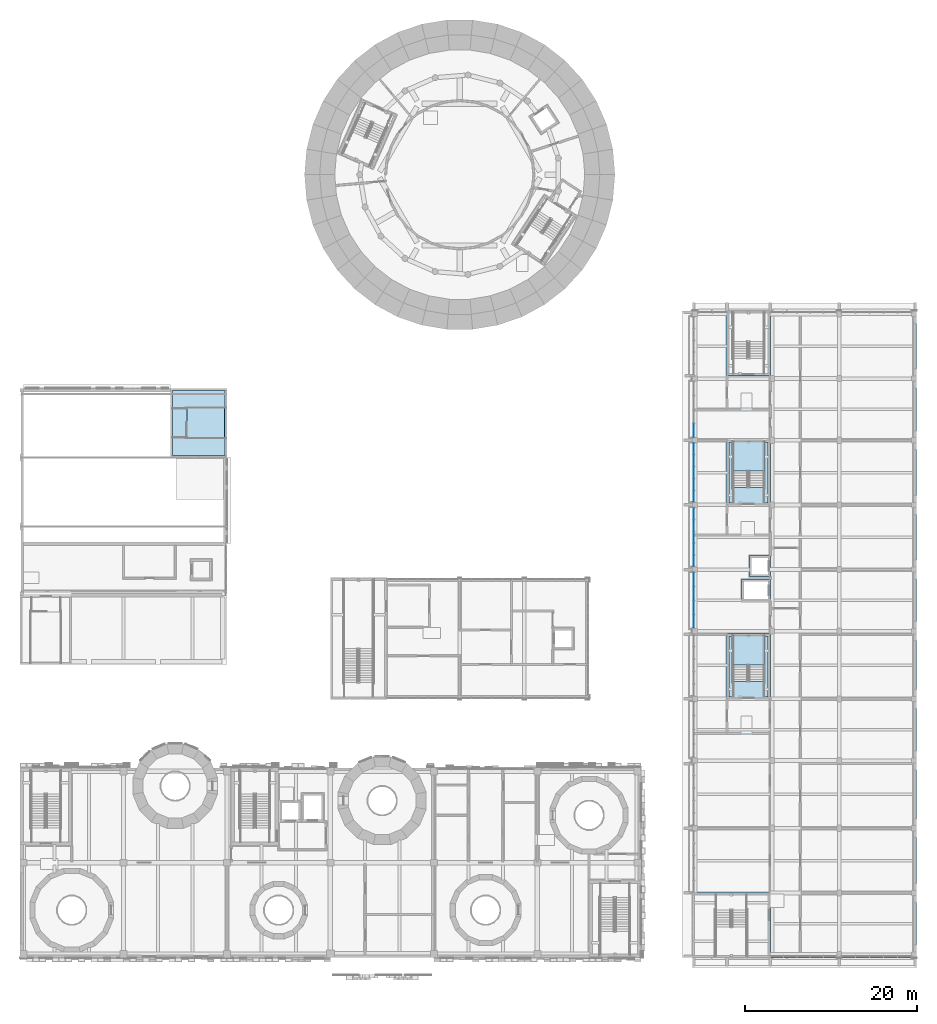
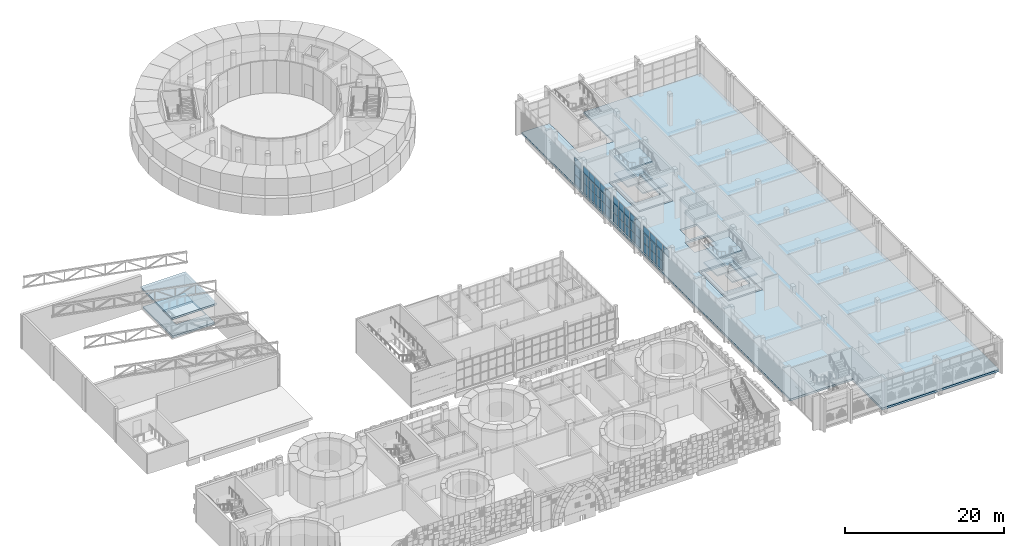
# One storey, part 61 of 125: 43 plates, 11 slabs, 6 elements without a shape of their own.
"""IFC4 building model written with IfcOpenShell, lengths in metres."""

from ifc_helpers import new_model, si_unit, direction, frame, origin, origin_2d, place, context, subcontext, project, spatial, polyline, rectangle, outline, extrude, material, layer, layer_set, type_object, element, aggregate, save


model = new_model("IFC4")

# Units and contexts
model_context = context("Model", 3, precision=1e-05, world=origin(), true_north=direction((0.0, 1.0)))
body_context = subcontext(model_context, "Body", "Model", "MODEL_VIEW")
ifc_project = project(units=[si_unit("LENGTHUNIT", "METRE"), si_unit("AREAUNIT", "SQUARE_METRE"), si_unit("VOLUMEUNIT", "CUBIC_METRE"), si_unit("PLANEANGLEUNIT", "RADIAN"), si_unit("MASSUNIT", "GRAM", prefix="KILO")], contexts=[model_context])

# Site, building, storey
site_placement = place(None, origin())
site = spatial("IfcSite", under=ifc_project, at=site_placement, CompositionType="ELEMENT")
building_placement = place(site_placement, origin())
building = spatial("IfcBuilding", under=site, at=building_placement, Name="Sun Court Science Centre", CompositionType="ELEMENT")
storey_placement = place(building_placement, frame((0.0, 0.0, 6.0)))
storey = spatial("IfcBuildingStorey", under=building, at=storey_placement, Name="L01", CompositionType="ELEMENT", Elevation=6.0)

# Slabs
ifc_material_1 = material(Name="Concrete C25/30", Category="concrete")
ifc_layer_1 = layer(ifc_material_1, 0.300048828125)
ifc_layer_set_1 = layer_set([ifc_layer_1], Name="Concrete C25/30")
slab_type_1 = type_object("IfcSlabType", Name="RC floor slab 300", PredefinedType="FLOOR", material=ifc_layer_set_1)
slab_1_placement = place(storey_placement, frame((0.0, 0.0, -0.300048828125)))
element("IfcSlab", 1, at=slab_1_placement, inside=storey, type_object=slab_type_1, Name="Floor slab L01", PredefinedType="FLOOR", context=body_context, shape_type="SweptSolid", body=[
    extrude(outline(polyline([(104.0, 6.0), (104.0, 81.0), (87.0, 81.0), (87.0, 73.5), (82.0, 73.5), (82.0, 81.0), (78.0, 81.0), (78.0, 13.5), (87.0, 13.5), (87.0, 6.0), (104.0, 6.0)]), holes=[polyline([(84.577392578125, 50.1875), (84.577392578125, 52.612548828125), (87.00244140625, 52.612548828125), (87.00244140625, 50.1875), (84.577392578125, 50.1875)]), polyline([(82.0, 43.5), (87.0, 43.5), (87.0, 36.0), (82.0, 36.0), (82.0, 43.5)]), polyline([(82.0, 66.0), (87.0, 66.0), (87.0, 58.5), (82.0, 58.5), (82.0, 66.0)]), polyline([(83.699951171875, 49.85009765625), (87.0, 49.85009765625), (87.0, 47.35009765625), (83.699951171875, 47.35009765625), (83.699951171875, 49.85009765625)])]), origin(), (0.0, 0.0, 1.0), 0.300048828125),
])
slab_2_placement = place(storey_placement, frame((0.0, 0.0, -0.300048828125)))
element("IfcSlab", 2, at=slab_2_placement, inside=storey, type_object=slab_type_1, Name="Stair SL2 landing slab L01", PredefinedType="FLOOR", context=body_context, shape_type="SweptSolid", body=[
    extrude(outline(polyline([(82.25, 43.25), (82.25, 36.25), (86.75, 36.25), (86.75, 43.25), (82.25, 43.25)]), holes=[polyline([(86.322998046875, 43.2451171875), (86.322998046875, 38.0029296875), (82.677001953125, 38.0029296875), (82.677001953125, 43.2451171875), (86.322998046875, 43.2451171875)])]), origin(), (0.0, 0.0, 1.0), 0.300048828125),
])
slab_3_placement = place(storey_placement, frame((0.0, 0.0, -0.300048828125)))
element("IfcSlab", 3, at=slab_3_placement, inside=storey, type_object=slab_type_1, Name="Stair SL3 landing slab L01", PredefinedType="FLOOR", context=body_context, shape_type="SweptSolid", body=[
    extrude(outline(polyline([(82.25, 65.75), (82.25, 58.75), (86.75, 58.75), (86.75, 65.75), (82.25, 65.75)]), holes=[polyline([(86.322998046875, 65.7451171875), (86.322998046875, 60.5029296875), (82.677001953125, 60.5029296875), (82.677001953125, 65.7451171875), (86.322998046875, 65.7451171875)])]), origin(), (0.0, 0.0, 1.0), 0.300048828125),
])
slab_4_placement = place(storey_placement, frame((0.0, 0.0, -0.300048828125)))
element("IfcSlab", 4, at=slab_4_placement, inside=storey, type_object=slab_type_1, Name="Stair ST2 landing slab L01", PredefinedType="FLOOR", context=body_context, shape_type="SweptSolid", body=[
    extrude(outline(polyline([(17.699951171875, 71.75), (17.699951171875, 64.25), (23.75, 64.25), (23.75, 71.75), (17.699951171875, 71.75)]), holes=[polyline([(23.7451171875, 66.277099609375), (19.35302734375, 66.277099609375), (19.35302734375, 69.722900390625), (23.7451171875, 69.722900390625), (23.7451171875, 66.277099609375)])]), origin(), (0.0, 0.0, 1.0), 0.300048828125),
])
ifc_material_2 = material(Name="Concrete C25/30", Category="concrete")
ifc_layer_2 = layer(ifc_material_2, 0.25)
ifc_layer_set_2 = layer_set([ifc_layer_2], Name="Concrete C25/30")
slab_type_2 = type_object("IfcSlabType", Name="RC head-house roof 250", PredefinedType="ROOF", material=ifc_layer_set_2)
slab_5_placement = place(storey_placement, frame((0.0, 0.0, 2.75)))
element("IfcSlab", 5, at=slab_5_placement, inside=storey, type_object=slab_type_2, Name="Roof of core ST2", PredefinedType="ROOF", context=body_context, shape_type="SweptSolid", body=[
    extrude(outline(polyline([(17.449951171875, 64.0), (24.0, 64.0), (24.0, 72.0), (17.449951171875, 72.0), (17.449951171875, 64.0)])), origin(), (0.0, 0.0, 1.0), 0.25),
])

# Curtain wall, plates
ifc_material_3 = material(Name="Aluminium EN AW-6063 T6", Category="aluminium")
curtain_wall_type = type_object("IfcCurtainWallType", Name="Laboratory tall bay curtain wall 1500", PredefinedType="NOTDEFINED", material=ifc_material_3)
curtain_wall_1_placement = place(storey_placement, origin())
curtain_wall_1 = element("IfcCurtainWall", 6, at=curtain_wall_1_placement, inside=storey, type_object=curtain_wall_type, Name="Curtain wall V4 W L01 05", PredefinedType="NOTDEFINED")
ifc_material_4 = material(Name="Solar-control glass", Category="glass")
ifc_layer_3 = layer(ifc_material_4, 0.028076171875)
ifc_layer_set_3 = layer_set([ifc_layer_3], Name="Solar-control glass")
plate_type = type_object("IfcPlateType", Name="Solar-control glazing panel 8-12-8", PredefinedType="CURTAIN_PANEL", material=ifc_layer_set_3)
plate_1_placement = place(storey_placement, frame((78.14990234375, 46.606201171875, 0.06005859375), z_axis=(0.0, 0.0, 1.0), x_axis=(0.0, 1.0, 0.0)))
plate_1 = element("IfcPlate", 7, at=plate_1_placement, type_object=plate_type, Name="CW2-14 panel 2.1", PredefinedType="CURTAIN_PANEL", context=body_context, shape_type="SweptSolid", body=[
    extrude(rectangle(XDim=1.577392578125, YDim=0.028076171875, at=origin_2d()), origin(), (0.0, 0.0, 1.0), 1.409912109375),
])
plate_2_placement = place(storey_placement, frame((78.14990234375, 48.24365234375, 0.06005859375), z_axis=(0.0, 0.0, 1.0), x_axis=(0.0, 1.0, 0.0)))
plate_2 = element("IfcPlate", 8, at=plate_2_placement, type_object=plate_type, Name="CW2-14 panel 3.1", PredefinedType="CURTAIN_PANEL", context=body_context, shape_type="SweptSolid", body=[
    extrude(rectangle(XDim=1.577392578125, YDim=0.028076171875, at=origin_2d()), origin(), (0.0, 0.0, 1.0), 1.409912109375),
])
plate_3_placement = place(storey_placement, frame((78.14990234375, 49.8662109375, 0.06005859375), z_axis=(0.0, 0.0, 1.0), x_axis=(0.0, 1.0, 0.0)))
plate_3 = element("IfcPlate", 9, at=plate_3_placement, type_object=plate_type, Name="CW2-14 panel 4.1", PredefinedType="CURTAIN_PANEL", context=body_context, shape_type="SweptSolid", body=[
    extrude(rectangle(XDim=1.547607421875, YDim=0.028076171875, at=origin_2d()), origin(), (0.0, 0.0, 1.0), 1.409912109375),
])
plate_4_placement = place(storey_placement, frame((78.14990234375, 46.606201171875, 1.530029296875), z_axis=(0.0, 0.0, 1.0), x_axis=(0.0, 1.0, 0.0)))
plate_4 = element("IfcPlate", 10, at=plate_4_placement, type_object=plate_type, Name="CW2-14 panel 2.2", PredefinedType="CURTAIN_PANEL", context=body_context, shape_type="SweptSolid", body=[
    extrude(rectangle(XDim=1.577392578125, YDim=0.028076171875, at=origin_2d()), origin(), (0.0, 0.0, 1.0), 1.43994140625),
])
plate_5_placement = place(storey_placement, frame((78.14990234375, 48.24365234375, 1.530029296875), z_axis=(0.0, 0.0, 1.0), x_axis=(0.0, 1.0, 0.0)))
plate_5 = element("IfcPlate", 11, at=plate_5_placement, type_object=plate_type, Name="CW2-14 panel 3.2", PredefinedType="CURTAIN_PANEL", context=body_context, shape_type="SweptSolid", body=[
    extrude(rectangle(XDim=1.577392578125, YDim=0.028076171875, at=origin_2d()), origin(), (0.0, 0.0, 1.0), 1.43994140625),
])
plate_6_placement = place(storey_placement, frame((78.14990234375, 49.8662109375, 1.530029296875), z_axis=(0.0, 0.0, 1.0), x_axis=(0.0, 1.0, 0.0)))
plate_6 = element("IfcPlate", 12, at=plate_6_placement, type_object=plate_type, Name="CW2-14 panel 4.2", PredefinedType="CURTAIN_PANEL", context=body_context, shape_type="SweptSolid", body=[
    extrude(rectangle(XDim=1.547607421875, YDim=0.028076171875, at=origin_2d()), origin(), (0.0, 0.0, 1.0), 1.43994140625),
])
plate_7_placement = place(storey_placement, frame((78.14990234375, 44.983642578125, 3.030029296875), z_axis=(0.0, 0.0, 1.0), x_axis=(0.0, 1.0, 0.0)))
plate_7 = element("IfcPlate", 13, at=plate_7_placement, type_object=plate_type, Name="CW2-14 panel 1.3", PredefinedType="CURTAIN_PANEL", context=body_context, shape_type="SweptSolid", body=[
    extrude(rectangle(XDim=1.547607421875, YDim=0.028076171875, at=origin_2d()), origin(), (0.0, 0.0, 1.0), 1.06005859375),
])
plate_8_placement = place(storey_placement, frame((78.14990234375, 46.606201171875, 3.030029296875), z_axis=(0.0, 0.0, 1.0), x_axis=(0.0, 1.0, 0.0)))
plate_8 = element("IfcPlate", 14, at=plate_8_placement, type_object=plate_type, Name="CW2-14 panel 2.3", PredefinedType="CURTAIN_PANEL", context=body_context, shape_type="SweptSolid", body=[
    extrude(rectangle(XDim=1.577392578125, YDim=0.028076171875, at=origin_2d()), origin(), (0.0, 0.0, 1.0), 1.06005859375),
])
plate_9_placement = place(storey_placement, frame((78.14990234375, 48.24365234375, 3.030029296875), z_axis=(0.0, 0.0, 1.0), x_axis=(0.0, 1.0, 0.0)))
plate_9 = element("IfcPlate", 15, at=plate_9_placement, type_object=plate_type, Name="CW2-14 panel 3.3", PredefinedType="CURTAIN_PANEL", context=body_context, shape_type="SweptSolid", body=[
    extrude(rectangle(XDim=1.577392578125, YDim=0.028076171875, at=origin_2d()), origin(), (0.0, 0.0, 1.0), 1.06005859375),
])
plate_10_placement = place(storey_placement, frame((78.14990234375, 49.8662109375, 3.030029296875), z_axis=(0.0, 0.0, 1.0), x_axis=(0.0, 1.0, 0.0)))
plate_10 = element("IfcPlate", 16, at=plate_10_placement, type_object=plate_type, Name="CW2-14 panel 4.3", PredefinedType="CURTAIN_PANEL", context=body_context, shape_type="SweptSolid", body=[
    extrude(rectangle(XDim=1.547607421875, YDim=0.028076171875, at=origin_2d()), origin(), (0.0, 0.0, 1.0), 1.06005859375),
])
aggregate(curtain_wall_1, [plate_1, plate_2, plate_3, plate_4, plate_5, plate_6, plate_7, plate_8, plate_9, plate_10])

curtain_wall_2_placement = place(storey_placement, origin())
curtain_wall_2 = element("IfcCurtainWall", 17, at=curtain_wall_2_placement, inside=storey, type_object=curtain_wall_type, Name="Curtain wall V4 W L01 06", PredefinedType="NOTDEFINED")
plate_11_placement = place(storey_placement, frame((78.14990234375, 52.0048828125, 0.06005859375), z_axis=(0.0, 0.0, 1.0), x_axis=(0.0, 1.0, 0.0)))
plate_11 = element("IfcPlate", 18, at=plate_11_placement, type_object=plate_type, Name="CW2-15 panel 1.1", PredefinedType="CURTAIN_PANEL", context=body_context, shape_type="SweptSolid", body=[
    extrude(rectangle(XDim=1.2900390625, YDim=0.028076171875, at=origin_2d()), origin(), (0.0, 0.0, 1.0), 1.409912109375),
])
plate_12_placement = place(storey_placement, frame((78.14990234375, 53.3701171875, 0.06005859375), z_axis=(0.0, 0.0, 1.0), x_axis=(0.0, 1.0, 0.0)))
plate_12 = element("IfcPlate", 19, at=plate_12_placement, type_object=plate_type, Name="CW2-15 panel 2.1", PredefinedType="CURTAIN_PANEL", context=body_context, shape_type="SweptSolid", body=[
    extrude(rectangle(XDim=1.320068359375, YDim=0.028076171875, at=origin_2d()), origin(), (0.0, 0.0, 1.0), 1.409912109375),
])
plate_13_placement = place(storey_placement, frame((78.14990234375, 54.75, 0.06005859375), z_axis=(0.0, 0.0, 1.0), x_axis=(0.0, 1.0, 0.0)))
plate_13 = element("IfcPlate", 20, at=plate_13_placement, type_object=plate_type, Name="CW2-15 panel 3.1", PredefinedType="CURTAIN_PANEL", context=body_context, shape_type="SweptSolid", body=[
    extrude(rectangle(XDim=1.320068359375, YDim=0.028076171875, at=origin_2d()), origin(), (0.0, 0.0, 1.0), 1.409912109375),
])
plate_14_placement = place(storey_placement, frame((78.14990234375, 56.1298828125, 0.06005859375), z_axis=(0.0, 0.0, 1.0), x_axis=(0.0, 1.0, 0.0)))
plate_14 = element("IfcPlate", 21, at=plate_14_placement, type_object=plate_type, Name="CW2-15 panel 4.1", PredefinedType="CURTAIN_PANEL", context=body_context, shape_type="SweptSolid", body=[
    extrude(rectangle(XDim=1.320068359375, YDim=0.028076171875, at=origin_2d()), origin(), (0.0, 0.0, 1.0), 1.409912109375),
])
plate_15_placement = place(storey_placement, frame((78.14990234375, 57.4951171875, 0.06005859375), z_axis=(0.0, 0.0, 1.0), x_axis=(0.0, 1.0, 0.0)))
plate_15 = element("IfcPlate", 22, at=plate_15_placement, type_object=plate_type, Name="CW2-15 panel 5.1", PredefinedType="CURTAIN_PANEL", context=body_context, shape_type="SweptSolid", body=[
    extrude(rectangle(XDim=1.2900390625, YDim=0.028076171875, at=origin_2d()), origin(), (0.0, 0.0, 1.0), 1.409912109375),
])
plate_16_placement = place(storey_placement, frame((78.14990234375, 52.0048828125, 1.530029296875), z_axis=(0.0, 0.0, 1.0), x_axis=(0.0, 1.0, 0.0)))
plate_16 = element("IfcPlate", 23, at=plate_16_placement, type_object=plate_type, Name="CW2-15 panel 1.2", PredefinedType="CURTAIN_PANEL", context=body_context, shape_type="SweptSolid", body=[
    extrude(rectangle(XDim=1.2900390625, YDim=0.028076171875, at=origin_2d()), origin(), (0.0, 0.0, 1.0), 1.43994140625),
])
plate_17_placement = place(storey_placement, frame((78.14990234375, 53.3701171875, 1.530029296875), z_axis=(0.0, 0.0, 1.0), x_axis=(0.0, 1.0, 0.0)))
plate_17 = element("IfcPlate", 24, at=plate_17_placement, type_object=plate_type, Name="CW2-15 panel 2.2", PredefinedType="CURTAIN_PANEL", context=body_context, shape_type="SweptSolid", body=[
    extrude(rectangle(XDim=1.320068359375, YDim=0.028076171875, at=origin_2d()), origin(), (0.0, 0.0, 1.0), 1.43994140625),
])
plate_18_placement = place(storey_placement, frame((78.14990234375, 54.75, 1.530029296875), z_axis=(0.0, 0.0, 1.0), x_axis=(0.0, 1.0, 0.0)))
plate_18 = element("IfcPlate", 25, at=plate_18_placement, type_object=plate_type, Name="CW2-15 panel 3.2", PredefinedType="CURTAIN_PANEL", context=body_context, shape_type="SweptSolid", body=[
    extrude(rectangle(XDim=1.320068359375, YDim=0.028076171875, at=origin_2d()), origin(), (0.0, 0.0, 1.0), 1.43994140625),
])
plate_19_placement = place(storey_placement, frame((78.14990234375, 56.1298828125, 1.530029296875), z_axis=(0.0, 0.0, 1.0), x_axis=(0.0, 1.0, 0.0)))
plate_19 = element("IfcPlate", 26, at=plate_19_placement, type_object=plate_type, Name="CW2-15 panel 4.2", PredefinedType="CURTAIN_PANEL", context=body_context, shape_type="SweptSolid", body=[
    extrude(rectangle(XDim=1.320068359375, YDim=0.028076171875, at=origin_2d()), origin(), (0.0, 0.0, 1.0), 1.43994140625),
])
plate_20_placement = place(storey_placement, frame((78.14990234375, 57.4951171875, 1.530029296875), z_axis=(0.0, 0.0, 1.0), x_axis=(0.0, 1.0, 0.0)))
plate_20 = element("IfcPlate", 27, at=plate_20_placement, type_object=plate_type, Name="CW2-15 panel 5.2", PredefinedType="CURTAIN_PANEL", context=body_context, shape_type="SweptSolid", body=[
    extrude(rectangle(XDim=1.2900390625, YDim=0.028076171875, at=origin_2d()), origin(), (0.0, 0.0, 1.0), 1.43994140625),
])
plate_21_placement = place(storey_placement, frame((78.14990234375, 52.0048828125, 3.030029296875), z_axis=(0.0, 0.0, 1.0), x_axis=(0.0, 1.0, 0.0)))
plate_21 = element("IfcPlate", 28, at=plate_21_placement, type_object=plate_type, Name="CW2-15 panel 1.3", PredefinedType="CURTAIN_PANEL", context=body_context, shape_type="SweptSolid", body=[
    extrude(rectangle(XDim=1.2900390625, YDim=0.028076171875, at=origin_2d()), origin(), (0.0, 0.0, 1.0), 1.06005859375),
])
plate_22_placement = place(storey_placement, frame((78.14990234375, 53.3701171875, 3.030029296875), z_axis=(0.0, 0.0, 1.0), x_axis=(0.0, 1.0, 0.0)))
plate_22 = element("IfcPlate", 29, at=plate_22_placement, type_object=plate_type, Name="CW2-15 panel 2.3", PredefinedType="CURTAIN_PANEL", context=body_context, shape_type="SweptSolid", body=[
    extrude(rectangle(XDim=1.320068359375, YDim=0.028076171875, at=origin_2d()), origin(), (0.0, 0.0, 1.0), 1.06005859375),
])
plate_23_placement = place(storey_placement, frame((78.14990234375, 54.75, 3.030029296875), z_axis=(0.0, 0.0, 1.0), x_axis=(0.0, 1.0, 0.0)))
plate_23 = element("IfcPlate", 30, at=plate_23_placement, type_object=plate_type, Name="CW2-15 panel 3.3", PredefinedType="CURTAIN_PANEL", context=body_context, shape_type="SweptSolid", body=[
    extrude(rectangle(XDim=1.320068359375, YDim=0.028076171875, at=origin_2d()), origin(), (0.0, 0.0, 1.0), 1.06005859375),
])
plate_24_placement = place(storey_placement, frame((78.14990234375, 56.1298828125, 3.030029296875), z_axis=(0.0, 0.0, 1.0), x_axis=(0.0, 1.0, 0.0)))
plate_24 = element("IfcPlate", 31, at=plate_24_placement, type_object=plate_type, Name="CW2-15 panel 4.3", PredefinedType="CURTAIN_PANEL", context=body_context, shape_type="SweptSolid", body=[
    extrude(rectangle(XDim=1.320068359375, YDim=0.028076171875, at=origin_2d()), origin(), (0.0, 0.0, 1.0), 1.06005859375),
])
plate_25_placement = place(storey_placement, frame((78.14990234375, 57.4951171875, 3.030029296875), z_axis=(0.0, 0.0, 1.0), x_axis=(0.0, 1.0, 0.0)))
plate_25 = element("IfcPlate", 32, at=plate_25_placement, type_object=plate_type, Name="CW2-15 panel 5.3", PredefinedType="CURTAIN_PANEL", context=body_context, shape_type="SweptSolid", body=[
    extrude(rectangle(XDim=1.2900390625, YDim=0.028076171875, at=origin_2d()), origin(), (0.0, 0.0, 1.0), 1.06005859375),
])
aggregate(curtain_wall_2, [plate_11, plate_12, plate_13, plate_14, plate_15, plate_16, plate_17, plate_18, plate_19, plate_20, plate_21, plate_22, plate_23, plate_24, plate_25])

curtain_wall_3_placement = place(storey_placement, origin())
curtain_wall_3 = element("IfcCurtainWall", 33, at=curtain_wall_3_placement, inside=storey, type_object=curtain_wall_type, Name="Curtain wall V4 W L01 07", PredefinedType="NOTDEFINED")
plate_26_placement = place(storey_placement, frame((78.14990234375, 59.5048828125, 0.06005859375), z_axis=(0.0, 0.0, 1.0), x_axis=(0.0, 1.0, 0.0)))
plate_26 = element("IfcPlate", 34, at=plate_26_placement, type_object=plate_type, Name="CW2-16 panel 1.1", PredefinedType="CURTAIN_PANEL", context=body_context, shape_type="SweptSolid", body=[
    extrude(rectangle(XDim=1.2900390625, YDim=0.028076171875, at=origin_2d()), origin(), (0.0, 0.0, 1.0), 1.409912109375),
])
plate_27_placement = place(storey_placement, frame((78.14990234375, 60.8701171875, 0.06005859375), z_axis=(0.0, 0.0, 1.0), x_axis=(0.0, 1.0, 0.0)))
plate_27 = element("IfcPlate", 35, at=plate_27_placement, type_object=plate_type, Name="CW2-16 panel 2.1", PredefinedType="CURTAIN_PANEL", context=body_context, shape_type="SweptSolid", body=[
    extrude(rectangle(XDim=1.320068359375, YDim=0.028076171875, at=origin_2d()), origin(), (0.0, 0.0, 1.0), 1.409912109375),
])
plate_28_placement = place(storey_placement, frame((78.14990234375, 62.25, 0.06005859375), z_axis=(0.0, 0.0, 1.0), x_axis=(0.0, 1.0, 0.0)))
plate_28 = element("IfcPlate", 36, at=plate_28_placement, type_object=plate_type, Name="CW2-16 panel 3.1", PredefinedType="CURTAIN_PANEL", context=body_context, shape_type="SweptSolid", body=[
    extrude(rectangle(XDim=1.320068359375, YDim=0.028076171875, at=origin_2d()), origin(), (0.0, 0.0, 1.0), 1.409912109375),
])
plate_29_placement = place(storey_placement, frame((78.14990234375, 63.6298828125, 0.06005859375), z_axis=(0.0, 0.0, 1.0), x_axis=(0.0, 1.0, 0.0)))
plate_29 = element("IfcPlate", 37, at=plate_29_placement, type_object=plate_type, Name="CW2-16 panel 4.1", PredefinedType="CURTAIN_PANEL", context=body_context, shape_type="SweptSolid", body=[
    extrude(rectangle(XDim=1.320068359375, YDim=0.028076171875, at=origin_2d()), origin(), (0.0, 0.0, 1.0), 1.409912109375),
])
plate_30_placement = place(storey_placement, frame((78.14990234375, 64.9951171875, 0.06005859375), z_axis=(0.0, 0.0, 1.0), x_axis=(0.0, 1.0, 0.0)))
plate_30 = element("IfcPlate", 38, at=plate_30_placement, type_object=plate_type, Name="CW2-16 panel 5.1", PredefinedType="CURTAIN_PANEL", context=body_context, shape_type="SweptSolid", body=[
    extrude(rectangle(XDim=1.2900390625, YDim=0.028076171875, at=origin_2d()), origin(), (0.0, 0.0, 1.0), 1.409912109375),
])
plate_31_placement = place(storey_placement, frame((78.14990234375, 59.5048828125, 1.530029296875), z_axis=(0.0, 0.0, 1.0), x_axis=(0.0, 1.0, 0.0)))
plate_31 = element("IfcPlate", 39, at=plate_31_placement, type_object=plate_type, Name="CW2-16 panel 1.2", PredefinedType="CURTAIN_PANEL", context=body_context, shape_type="SweptSolid", body=[
    extrude(rectangle(XDim=1.2900390625, YDim=0.028076171875, at=origin_2d()), origin(), (0.0, 0.0, 1.0), 1.43994140625),
])
plate_32_placement = place(storey_placement, frame((78.14990234375, 60.8701171875, 1.530029296875), z_axis=(0.0, 0.0, 1.0), x_axis=(0.0, 1.0, 0.0)))
plate_32 = element("IfcPlate", 40, at=plate_32_placement, type_object=plate_type, Name="CW2-16 panel 2.2", PredefinedType="CURTAIN_PANEL", context=body_context, shape_type="SweptSolid", body=[
    extrude(rectangle(XDim=1.320068359375, YDim=0.028076171875, at=origin_2d()), origin(), (0.0, 0.0, 1.0), 1.43994140625),
])
plate_33_placement = place(storey_placement, frame((78.14990234375, 62.25, 1.530029296875), z_axis=(0.0, 0.0, 1.0), x_axis=(0.0, 1.0, 0.0)))
plate_33 = element("IfcPlate", 41, at=plate_33_placement, type_object=plate_type, Name="CW2-16 panel 3.2", PredefinedType="CURTAIN_PANEL", context=body_context, shape_type="SweptSolid", body=[
    extrude(rectangle(XDim=1.320068359375, YDim=0.028076171875, at=origin_2d()), origin(), (0.0, 0.0, 1.0), 1.43994140625),
])
plate_34_placement = place(storey_placement, frame((78.14990234375, 63.6298828125, 1.530029296875), z_axis=(0.0, 0.0, 1.0), x_axis=(0.0, 1.0, 0.0)))
plate_34 = element("IfcPlate", 42, at=plate_34_placement, type_object=plate_type, Name="CW2-16 panel 4.2", PredefinedType="CURTAIN_PANEL", context=body_context, shape_type="SweptSolid", body=[
    extrude(rectangle(XDim=1.320068359375, YDim=0.028076171875, at=origin_2d()), origin(), (0.0, 0.0, 1.0), 1.43994140625),
])
plate_35_placement = place(storey_placement, frame((78.14990234375, 64.9951171875, 1.530029296875), z_axis=(0.0, 0.0, 1.0), x_axis=(0.0, 1.0, 0.0)))
plate_35 = element("IfcPlate", 43, at=plate_35_placement, type_object=plate_type, Name="CW2-16 panel 5.2", PredefinedType="CURTAIN_PANEL", context=body_context, shape_type="SweptSolid", body=[
    extrude(rectangle(XDim=1.2900390625, YDim=0.028076171875, at=origin_2d()), origin(), (0.0, 0.0, 1.0), 1.43994140625),
])
plate_36_placement = place(storey_placement, frame((78.14990234375, 59.5048828125, 3.030029296875), z_axis=(0.0, 0.0, 1.0), x_axis=(0.0, 1.0, 0.0)))
plate_36 = element("IfcPlate", 44, at=plate_36_placement, type_object=plate_type, Name="CW2-16 panel 1.3", PredefinedType="CURTAIN_PANEL", context=body_context, shape_type="SweptSolid", body=[
    extrude(rectangle(XDim=1.2900390625, YDim=0.028076171875, at=origin_2d()), origin(), (0.0, 0.0, 1.0), 1.06005859375),
])
plate_37_placement = place(storey_placement, frame((78.14990234375, 60.8701171875, 3.030029296875), z_axis=(0.0, 0.0, 1.0), x_axis=(0.0, 1.0, 0.0)))
plate_37 = element("IfcPlate", 45, at=plate_37_placement, type_object=plate_type, Name="CW2-16 panel 2.3", PredefinedType="CURTAIN_PANEL", context=body_context, shape_type="SweptSolid", body=[
    extrude(rectangle(XDim=1.320068359375, YDim=0.028076171875, at=origin_2d()), origin(), (0.0, 0.0, 1.0), 1.06005859375),
])
plate_38_placement = place(storey_placement, frame((78.14990234375, 62.25, 3.030029296875), z_axis=(0.0, 0.0, 1.0), x_axis=(0.0, 1.0, 0.0)))
plate_38 = element("IfcPlate", 46, at=plate_38_placement, type_object=plate_type, Name="CW2-16 panel 3.3", PredefinedType="CURTAIN_PANEL", context=body_context, shape_type="SweptSolid", body=[
    extrude(rectangle(XDim=1.320068359375, YDim=0.028076171875, at=origin_2d()), origin(), (0.0, 0.0, 1.0), 1.06005859375),
])
plate_39_placement = place(storey_placement, frame((78.14990234375, 63.6298828125, 3.030029296875), z_axis=(0.0, 0.0, 1.0), x_axis=(0.0, 1.0, 0.0)))
plate_39 = element("IfcPlate", 47, at=plate_39_placement, type_object=plate_type, Name="CW2-16 panel 4.3", PredefinedType="CURTAIN_PANEL", context=body_context, shape_type="SweptSolid", body=[
    extrude(rectangle(XDim=1.320068359375, YDim=0.028076171875, at=origin_2d()), origin(), (0.0, 0.0, 1.0), 1.06005859375),
])
plate_40_placement = place(storey_placement, frame((78.14990234375, 64.9951171875, 3.030029296875), z_axis=(0.0, 0.0, 1.0), x_axis=(0.0, 1.0, 0.0)))
plate_40 = element("IfcPlate", 48, at=plate_40_placement, type_object=plate_type, Name="CW2-16 panel 5.3", PredefinedType="CURTAIN_PANEL", context=body_context, shape_type="SweptSolid", body=[
    extrude(rectangle(XDim=1.2900390625, YDim=0.028076171875, at=origin_2d()), origin(), (0.0, 0.0, 1.0), 1.06005859375),
])
aggregate(curtain_wall_3, [plate_26, plate_27, plate_28, plate_29, plate_30, plate_31, plate_32, plate_33, plate_34, plate_35, plate_36, plate_37, plate_38, plate_39, plate_40])

curtain_wall_4_placement = place(storey_placement, origin())
curtain_wall_4 = element("IfcCurtainWall", 49, at=curtain_wall_4_placement, inside=storey, type_object=curtain_wall_type, Name="Curtain wall V4 W L01 08", PredefinedType="NOTDEFINED")
plate_41_placement = place(storey_placement, frame((78.14990234375, 67.1337890625, 0.06005859375), z_axis=(0.0, 0.0, 1.0), x_axis=(0.0, 1.0, 0.0)))
plate_41 = element("IfcPlate", 50, at=plate_41_placement, type_object=plate_type, Name="CW2-17 panel 1.1", PredefinedType="CURTAIN_PANEL", context=body_context, shape_type="SweptSolid", body=[
    extrude(rectangle(XDim=1.547607421875, YDim=0.028076171875, at=origin_2d()), origin(), (0.0, 0.0, 1.0), 1.409912109375),
])
plate_42_placement = place(storey_placement, frame((78.14990234375, 67.1337890625, 1.530029296875), z_axis=(0.0, 0.0, 1.0), x_axis=(0.0, 1.0, 0.0)))
plate_42 = element("IfcPlate", 51, at=plate_42_placement, type_object=plate_type, Name="CW2-17 panel 1.2", PredefinedType="CURTAIN_PANEL", context=body_context, shape_type="SweptSolid", body=[
    extrude(rectangle(XDim=1.547607421875, YDim=0.028076171875, at=origin_2d()), origin(), (0.0, 0.0, 1.0), 1.43994140625),
])
plate_43_placement = place(storey_placement, frame((78.14990234375, 67.1337890625, 3.030029296875), z_axis=(0.0, 0.0, 1.0), x_axis=(0.0, 1.0, 0.0)))
plate_43 = element("IfcPlate", 52, at=plate_43_placement, type_object=plate_type, Name="CW2-17 panel 1.3", PredefinedType="CURTAIN_PANEL", context=body_context, shape_type="SweptSolid", body=[
    extrude(rectangle(XDim=1.547607421875, YDim=0.028076171875, at=origin_2d()), origin(), (0.0, 0.0, 1.0), 1.06005859375),
])
aggregate(curtain_wall_4, [plate_41, plate_42, plate_43])

# Stair, slabs
ifc_material_5 = material(Name="Concrete C25/30", Category="concrete")
stair_type = type_object("IfcStairType", Name="Stair 1500 enclosed half-turn", PredefinedType="HALF_TURN_STAIR", material=ifc_material_5)
stair_1_placement = place(storey_placement, origin())
stair_1 = element("IfcStair", 53, at=stair_1_placement, inside=storey, type_object=stair_type, Name="L01 Stair SL2", PredefinedType="HALF_TURN_STAIR")
ifc_material_6 = material(Name="Concrete C25/30", Category="concrete")
ifc_layer_4 = layer(ifc_material_6, 0.199951171875)
ifc_layer_set_4 = layer_set([ifc_layer_4], Name="Concrete C25/30")
slab_type_3 = type_object("IfcSlabType", Name="Stair landing 200", PredefinedType="LANDING", material=ifc_layer_set_4)
slab_6_placement = place(storey_placement, frame((0.0, 0.0, 1.112548828125)))
slab_6 = element("IfcSlab", 54, at=slab_6_placement, type_object=slab_type_3, Name="SL2 landing 1", PredefinedType="LANDING", context=body_context, shape_type="SweptSolid", body=[
    extrude(outline(polyline([(86.322998046875, 39.9541015625), (86.322998046875, 43.35009765625), (82.677001953125, 43.35009765625), (82.677001953125, 39.9541015625), (86.322998046875, 39.9541015625)])), origin(), (0.0, 0.0, 1.0), 0.199951171875),
])
slab_7_placement = place(storey_placement, frame((0.0, 0.0, 2.425048828125)))
slab_7 = element("IfcSlab", 55, at=slab_7_placement, type_object=slab_type_3, Name="SL2 landing 2", PredefinedType="LANDING", context=body_context, shape_type="SweptSolid", body=[
    extrude(outline(polyline([(86.322998046875, 36.14990234375), (86.322998046875, 38.001953125), (82.677001953125, 38.001953125), (82.677001953125, 36.14990234375), (86.322998046875, 36.14990234375)])), origin(), (0.0, 0.0, 1.0), 0.199951171875),
])
slab_8_placement = place(storey_placement, frame((0.0, 0.0, 3.737548828125)))
slab_8 = element("IfcSlab", 56, at=slab_8_placement, type_object=slab_type_3, Name="SL2 landing 3", PredefinedType="LANDING", context=body_context, shape_type="SweptSolid", body=[
    extrude(outline(polyline([(86.322998046875, 39.9541015625), (86.322998046875, 43.35009765625), (82.677001953125, 43.35009765625), (82.677001953125, 39.9541015625), (86.322998046875, 39.9541015625)])), origin(), (0.0, 0.0, 1.0), 0.199951171875),
])
aggregate(stair_1, [slab_6, slab_7, slab_8])

stair_2_placement = place(storey_placement, origin())
stair_2 = element("IfcStair", 57, at=stair_2_placement, inside=storey, type_object=stair_type, Name="L01 Stair SL3", PredefinedType="HALF_TURN_STAIR")
slab_9_placement = place(storey_placement, frame((0.0, 0.0, 1.112548828125)))
slab_9 = element("IfcSlab", 58, at=slab_9_placement, type_object=slab_type_3, Name="SL3 landing 1", PredefinedType="LANDING", context=body_context, shape_type="SweptSolid", body=[
    extrude(outline(polyline([(86.322998046875, 62.4541015625), (86.322998046875, 65.85009765625), (82.677001953125, 65.85009765625), (82.677001953125, 62.4541015625), (86.322998046875, 62.4541015625)])), origin(), (0.0, 0.0, 1.0), 0.199951171875),
])
slab_10_placement = place(storey_placement, frame((0.0, 0.0, 2.425048828125)))
slab_10 = element("IfcSlab", 59, at=slab_10_placement, type_object=slab_type_3, Name="SL3 landing 2", PredefinedType="LANDING", context=body_context, shape_type="SweptSolid", body=[
    extrude(outline(polyline([(86.322998046875, 58.64990234375), (86.322998046875, 60.501953125), (82.677001953125, 60.501953125), (82.677001953125, 58.64990234375), (86.322998046875, 58.64990234375)])), origin(), (0.0, 0.0, 1.0), 0.199951171875),
])
slab_11_placement = place(storey_placement, frame((0.0, 0.0, 3.737548828125)))
slab_11 = element("IfcSlab", 60, at=slab_11_placement, type_object=slab_type_3, Name="SL3 landing 3", PredefinedType="LANDING", context=body_context, shape_type="SweptSolid", body=[
    extrude(outline(polyline([(86.322998046875, 62.4541015625), (86.322998046875, 65.85009765625), (82.677001953125, 65.85009765625), (82.677001953125, 62.4541015625), (86.322998046875, 62.4541015625)])), origin(), (0.0, 0.0, 1.0), 0.199951171875),
])
aggregate(stair_2, [slab_9, slab_10, slab_11])

save(model, "model.ifc")
